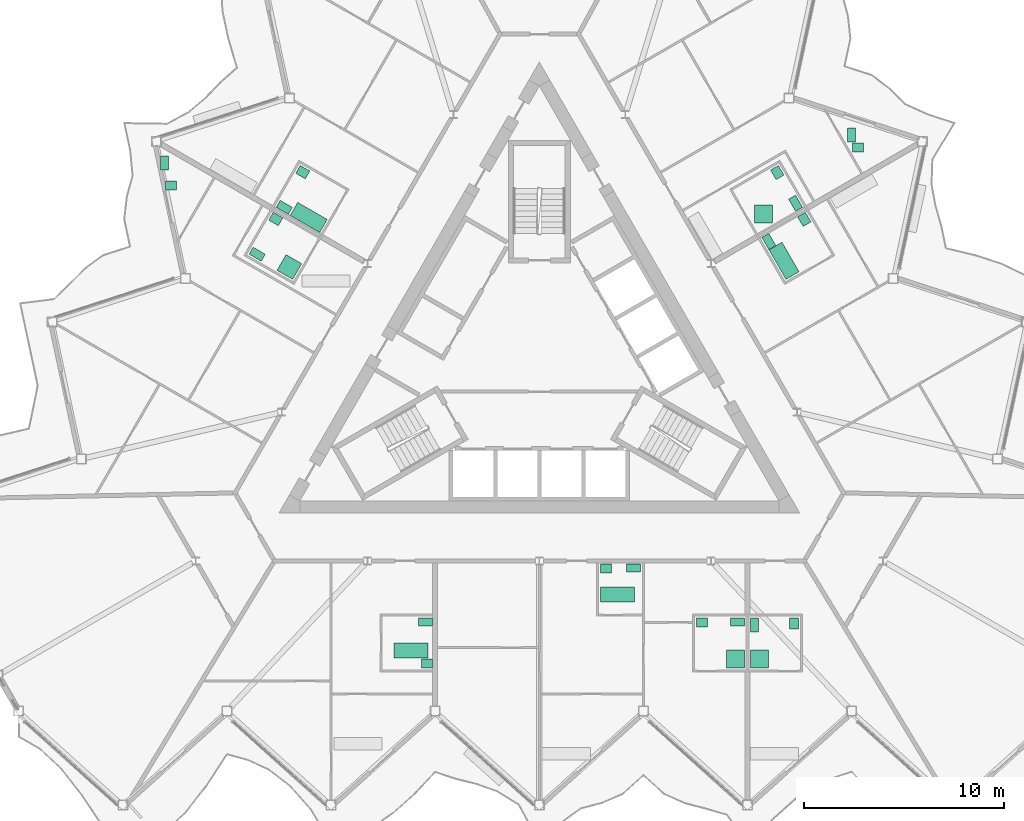
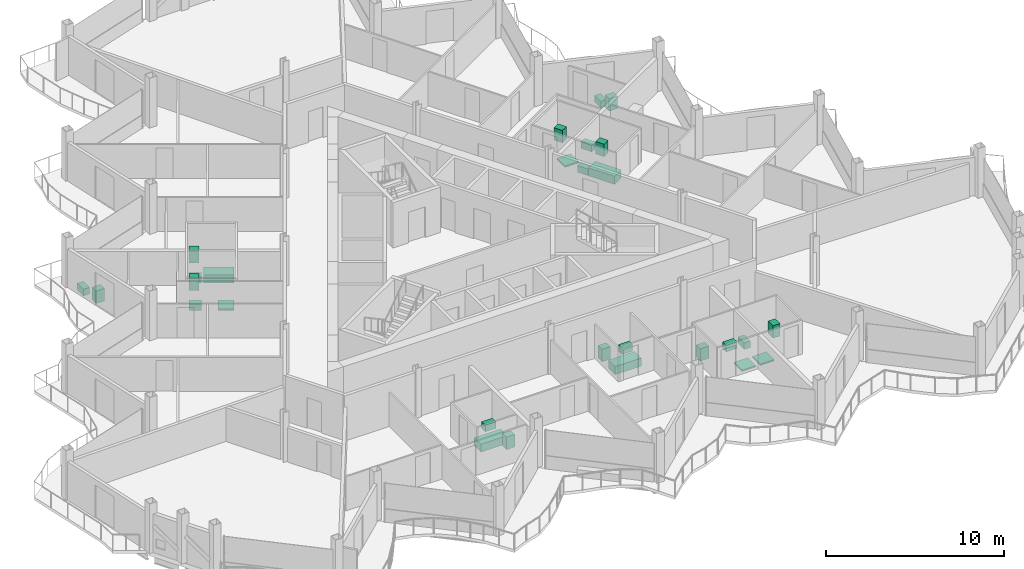
# One storey, part 24 of 25: 28 sanitary terminals.
"""IFC4 building model written with IfcOpenShell, lengths in metres."""

from ifc_helpers import new_model, si_unit, direction, frame, origin, origin_2d, place, context, subcontext, project, spatial, rectangle, extrude, material, type_object, element, save


model = new_model("IFC4")

# Units and contexts
model_context = context("Model", 3, precision=1e-05, world=origin(), true_north=direction((0.0, 1.0)))
body_context = subcontext(model_context, "Body", "Model", "MODEL_VIEW")
ifc_project = project(units=[si_unit("LENGTHUNIT", "METRE"), si_unit("AREAUNIT", "SQUARE_METRE"), si_unit("VOLUMEUNIT", "CUBIC_METRE"), si_unit("PLANEANGLEUNIT", "RADIAN"), si_unit("MASSUNIT", "GRAM", prefix="KILO")], contexts=[model_context])

# Site, building, storey
site_placement = place(None, origin())
site = spatial("IfcSite", under=ifc_project, at=site_placement, CompositionType="ELEMENT")
building_placement = place(site_placement, origin())
building = spatial("IfcBuilding", under=site, at=building_placement, Name="Cormorant Prow Tower", CompositionType="ELEMENT")
storey_placement = place(building_placement, frame((0.0, 0.0, 391.60009765625)))
storey = spatial("IfcBuildingStorey", under=building, at=storey_placement, Name="L89", CompositionType="ELEMENT", Elevation=391.60009765625)

# Sanitary terminals
ifc_material_1 = material(Name="Vitreous china")
sanitary_terminal_type_1 = type_object("IfcSanitaryTerminalType", Name="Bath 1700x750", PredefinedType="BATH", material=ifc_material_1)
for number, where, z_axis, x_axis, name in (
    (1, (-6.405029296875, -14.385498046875, 0.0), (0.0, 0.0, 1.0), (1.0, 0.0, 0.0), "Bath"),
    (2, (3.89501953125, -11.585693359375, 0.0), (0.0, 0.0, 1.0), (1.0, 0.0, 0.0), "Bath"),
    (3, (12.219482421875, 5.086181640625, 0.0), (0.0, 0.0, 1.0), (-0.5, 0.866025403784, 0.0), "Bath"),
    (4, (-11.518310546875, 7.25048828125, 0.0), (0.0, 0.0, 1.0), (-0.866025403784, 0.5, 0.0), "Bath"),
):
    element("IfcSanitaryTerminal", number, at=place(storey_placement, frame(where, z_axis=z_axis, x_axis=x_axis)), inside=storey, type_object=sanitary_terminal_type_1, Name=name, PredefinedType="BATH", context=body_context, shape_type="SweptSolid", body=[
        extrude(rectangle(XDim=1.699951171875, YDim=0.75, at=origin_2d()), origin(), (0.0, 0.0, 1.0), 0.550048828125),
    ])
ifc_material_2 = material(Name="Vitreous china")
sanitary_terminal_type_2 = type_object("IfcSanitaryTerminalType", Name="Shower tray 900x900", PredefinedType="SHOWER", material=ifc_material_2)
for number, where, z_axis, x_axis, name in (
    (5, (9.804931640625, -14.810546875, -0.000244140625), (0.0, 0.0, 1.0), (-1.0, 0.0, 0.0), "Shower tray"),
    (6, (10.9951171875, -14.810546875, -0.000244140625), (0.0, 0.0, 1.0), (0.0, 1.0, 0.0), "Shower tray"),
    (7, (11.196533203125, 7.4326171875, -0.000244140625), (0.0, 0.0, 1.0), (1.0, 0.0, 0.0), "Shower tray"),
    (8, (-12.484619140625, 4.77734375, -0.000244140625), (0.0, 0.0, 1.0), (-0.866025403784, 0.5, 0.0), "Shower tray"),
):
    element("IfcSanitaryTerminal", number, at=place(storey_placement, frame(where, z_axis=z_axis, x_axis=x_axis)), inside=storey, type_object=sanitary_terminal_type_2, Name=name, PredefinedType="SHOWER", context=body_context, shape_type="SweptSolid", body=[
        extrude(rectangle(XDim=0.89990234375, YDim=0.89990234375, at=origin_2d()), origin(), (0.0, 0.0, 1.0), 0.10009765625),
    ])
ifc_material_3 = material(Name="Vitreous china")
sanitary_terminal_type_3 = type_object("IfcSanitaryTerminalType", Name="Wash basin 550x450", PredefinedType="WASHHANDBASIN", material=ifc_material_3)
for number, where, z_axis, x_axis, name in (
    (9, (-5.6201171875, -15.03564453125, -0.000244140625), (0.0, 0.0, 1.0), (-1.0, 0.0, 0.0), "Wash basin"),
    (10, (3.320068359375, -10.275634765625, -0.000244140625), (0.0, 0.0, 1.0), (1.0, 0.0, 0.0), "Wash basin"),
    (11, (8.1201171875, -12.9755859375, -0.000244140625), (0.0, 0.0, 1.0), (1.0, 0.0, 0.0), "Wash basin"),
    (12, (12.72998046875, -13.025634765625, -0.000244140625), (0.0, 0.0, 1.0), (0.0, -1.0, 0.0), "Wash basin"),
    (13, (13.231201171875, 7.154052734375, -0.000244140625), (0.0, 0.0, 1.0), (0.5, -0.866025403784, 0.0), "Wash basin"),
    (14, (15.910400390625, 10.74072265625, -0.000244140625), (0.0, 0.0, 1.0), (1.0, 0.0, 0.0), "Wash basin"),
    (15, (11.881103515625, 9.4921875, -0.000244140625), (0.0, 0.0, 1.0), (0.5, -0.866025403784, 0.0), "Wash basin"),
    (16, (-11.81298828125, 9.510498046875, -0.000244140625), (0.0, 0.0, 1.0), (0.866025403784, -0.5, 0.0), "Wash basin"),
    (17, (-18.390625, 8.837890625, -0.000244140625), (0.0, 0.0, 1.0), (1.0, 0.0, 0.0), "Wash basin"),
    (18, (-13.162841796875, 7.17236328125, -0.000244140625), (0.0, 0.0, 1.0), (0.866025403784, -0.5, 0.0), "Wash basin"),
):
    element("IfcSanitaryTerminal", number, at=place(storey_placement, frame(where, z_axis=z_axis, x_axis=x_axis)), inside=storey, type_object=sanitary_terminal_type_3, Name=name, PredefinedType="WASHHANDBASIN", context=body_context, shape_type="SweptSolid", body=[
        extrude(rectangle(XDim=0.550048828125, YDim=0.449951171875, at=origin_2d()), origin(), (0.0, 0.0, 1.0), 0.85009765625),
    ])
ifc_material_4 = material(Name="Vitreous china")
sanitary_terminal_type_4 = type_object("IfcSanitaryTerminalType", Name="Water closet 400x700", PredefinedType="WCSEAT", material=ifc_material_4)
for number, where, z_axis, x_axis, name in (
    (19, (-5.695068359375, -12.95068359375, 0.0), (0.0, 0.0, 1.0), (0.0, -1.0, 0.0), "Water closet"),
    (20, (4.705078125, -10.25048828125, 0.0), (0.0, 0.0, 1.0), (0.0, -1.0, 0.0), "Water closet"),
    (21, (9.905029296875, -12.95068359375, 0.0), (0.0, 0.0, 1.0), (0.0, -1.0, 0.0), "Water closet"),
    (22, (10.7451171875, -13.1005859375, 0.0), (0.0, 0.0, 1.0), (1.0, 0.0, 0.0), "Water closet"),
    (23, (11.462890625, 6.046630859375, 0.0), (0.0, 0.0, 1.0), (0.866025403784, 0.5, 0.0), "Water closet"),
    (24, (15.58544921875, 11.36572265625, 0.0), (0.0, 0.0, 1.0), (1.0, 0.0, 0.0), "Water closet"),
    (25, (12.79541015625, 7.958984375, 0.0), (0.0, 0.0, 1.0), (-0.866025403784, -0.5, 0.0), "Water closet"),
    (26, (-12.740478515625, 7.754150390625, 0.0), (0.0, 0.0, 1.0), (0.5, 0.866025403784, 0.0), "Water closet"),
    (27, (-18.7158203125, 9.962890625, 0.0), (0.0, 0.0, 1.0), (1.0, 0.0, 0.0), "Water closet"),
    (28, (-14.09033203125, 5.415771484375, 0.0), (0.0, 0.0, 1.0), (0.5, 0.866025403784, 0.0), "Water closet"),
):
    element("IfcSanitaryTerminal", number, at=place(storey_placement, frame(where, z_axis=z_axis, x_axis=x_axis)), inside=storey, type_object=sanitary_terminal_type_4, Name=name, PredefinedType="WCSEAT", context=body_context, shape_type="SweptSolid", body=[
        extrude(rectangle(XDim=0.39990234375, YDim=0.699951171875, at=origin_2d()), origin(), (0.0, 0.0, 1.0), 0.449951171875),
    ])

save(model, "model.ifc")
